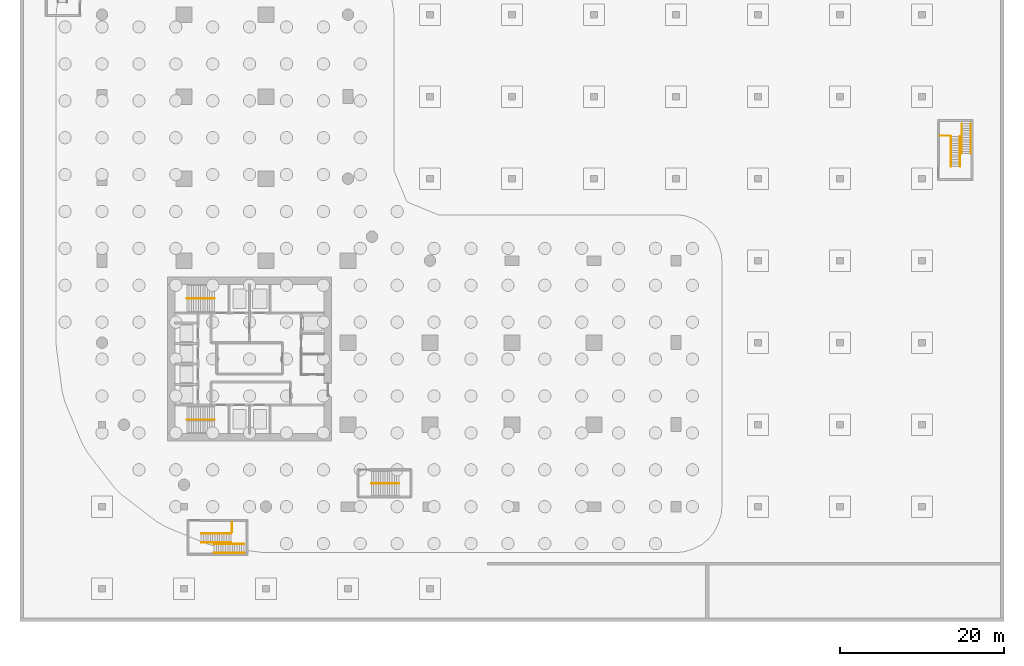
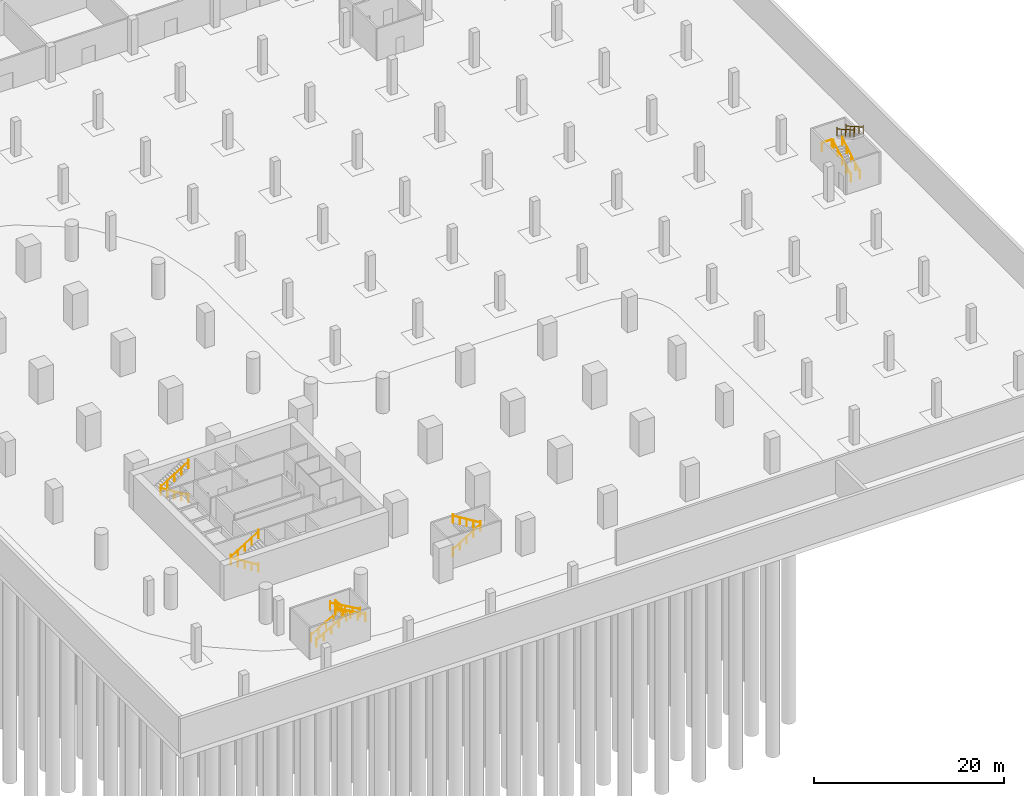
# One storey, part 16 of 19: 16 railings.
"""IFC4 building model written with IfcOpenShell, lengths in metres."""

from ifc_helpers import new_model, si_unit, direction, frame, origin, origin_2d, place, context, subcontext, project, spatial, circle, extrude, material, type_object, element, save


model = new_model("IFC4")

# Units and contexts
model_context = context("Model", 3, precision=1e-05, world=origin(), true_north=direction((0.0, 1.0)))
body_context = subcontext(model_context, "Body", "Model", "MODEL_VIEW")
ifc_project = project(units=[si_unit("LENGTHUNIT", "METRE"), si_unit("AREAUNIT", "SQUARE_METRE"), si_unit("VOLUMEUNIT", "CUBIC_METRE"), si_unit("PLANEANGLEUNIT", "RADIAN"), si_unit("MASSUNIT", "GRAM", prefix="KILO")], contexts=[model_context])

# Site, building, storey
site_placement = place(None, origin())
site = spatial("IfcSite", under=ifc_project, at=site_placement, CompositionType="ELEMENT")
building_placement = place(site_placement, origin())
building = spatial("IfcBuilding", under=site, at=building_placement, Name="Qaws Garden Tower", CompositionType="ELEMENT")
storey_placement = place(building_placement, frame((0.0, 0.0, -9.0)))
storey = spatial("IfcBuildingStorey", under=building, at=storey_placement, Name="B2", CompositionType="ELEMENT", Elevation=-9.0)

# Railings
ifc_material_1 = material(Name="Steel S355", Category="steel")
railing_type_1 = type_object("IfcRailingType", Name="Guard steel balustrade 1100", PredefinedType="GUARDRAIL", material=ifc_material_1)
railing_1_placement = place(storey_placement, frame((102.199951171875, 45.239990234375, 2.25)))
element("IfcRailing", 1, at=railing_1_placement, inside=storey, type_object=railing_type_1, Name="Stair landing guard", PredefinedType="GUARDRAIL", context=body_context, shape_type="SweptSolid", body=[
    extrude(circle(Radius=0.02392578125, at=origin_2d()), frame((0.0, 0.0, 1.076171875), z_axis=(1.0, 0.0, 0.0), x_axis=(0.0, 1.0, 0.0)), (0.0, 0.0, 1.0), 1.199951171875),
    extrude(circle(Radius=0.02099609375, at=origin_2d()), origin(), (0.0, 0.0, 1.0), 1.052001953125),
    extrude(circle(Radius=0.02099609375, at=origin_2d()), frame((1.199951171875, 0.0, 0.0)), (0.0, 0.0, 1.0), 1.052001953125),
])
railing_2_placement = place(storey_placement, frame((15.840087890625, -1.89990234375, 2.25)))
element("IfcRailing", 2, at=railing_2_placement, inside=storey, type_object=railing_type_1, Name="Stair landing guard", PredefinedType="GUARDRAIL", context=body_context, shape_type="SweptSolid", body=[
    extrude(circle(Radius=0.02392578125, at=origin_2d()), frame((0.0, 0.0, 1.076171875), z_axis=(0.0, -1.0, 0.0), x_axis=(1.0, 0.0, 0.0)), (0.0, 0.0, 1.0), 1.2001953125),
    extrude(circle(Radius=0.02099609375, at=origin_2d()), origin(), (0.0, 0.0, 1.0), 1.052001953125),
    extrude(circle(Radius=0.02099609375, at=origin_2d()), frame((0.0, -0.60009765625, 0.0)), (0.0, 0.0, 1.0), 1.052001953125),
    extrude(circle(Radius=0.02099609375, at=origin_2d()), frame((0.0, -1.2001953125, 0.0)), (0.0, 0.0, 1.0), 1.052001953125),
])
ifc_material_2 = material(Name="Stainless steel 316", Category="steel")
railing_type_2 = type_object("IfcRailingType", Name="Handrail 900", PredefinedType="HANDRAIL", material=ifc_material_2)
for number, where, name in (
    (3, (103.550048828125, 41.5, 0.16064453125), "Stair handrail"),
    (4, (104.64990234375, 41.5, 0.16064453125), "Stair handrail"),
):
    element("IfcRailing", number, at=place(storey_placement, frame(where)), inside=storey, type_object=railing_type_2, Name=name, PredefinedType="HANDRAIL", context=body_context, shape_type="SweptSolid", body=[
        extrude(circle(Radius=0.02392578125, at=origin_2d()), frame((0.0, 0.0, 0.8759765625), z_axis=(0.0, 0.8672749571, 0.497829437445), x_axis=(-1.0, 0.0, 0.0)), (0.0, 0.0, 1.0), 4.197021484375),
        extrude(circle(Radius=0.02099609375, at=origin_2d()), origin(), (0.0, 0.0, 1.0), 1.06103515625),
        extrude(circle(Radius=0.02099609375, at=origin_2d()), frame((0.0, 0.909912109375, 0.5224609375)), (0.0, 0.0, 1.0), 0.851806640625),
        extrude(circle(Radius=0.02099609375, at=origin_2d()), frame((0.0, 1.81982421875, 1.044677734375)), (0.0, 0.0, 1.0), 0.851806640625),
        extrude(circle(Radius=0.02099609375, at=origin_2d()), frame((0.0, 2.72998046875, 1.56689453125)), (0.0, 0.0, 1.0), 0.851806640625),
        extrude(circle(Radius=0.02099609375, at=origin_2d()), frame((0.0, 3.639892578125, 2.08935546875)), (0.0, 0.0, 1.0), 1.06103515625),
    ])
for number, where, name in (
    (5, (104.85009765625, 46.699951171875, 2.41064453125), "Stair handrail"),
    (6, (105.949951171875, 46.699951171875, 2.41064453125), "Stair handrail"),
):
    element("IfcRailing", number, at=place(storey_placement, frame(where)), inside=storey, type_object=railing_type_2, Name=name, PredefinedType="HANDRAIL", context=body_context, shape_type="SweptSolid", body=[
        extrude(circle(Radius=0.02392578125, at=origin_2d()), frame((0.0, 0.0, 0.8759765625), z_axis=(0.0, -0.8672749571, 0.497829437445), x_axis=(1.0, 0.0, 0.0)), (0.0, 0.0, 1.0), 4.197021484375),
        extrude(circle(Radius=0.02099609375, at=origin_2d()), origin(), (0.0, 0.0, 1.0), 1.06103515625),
        extrude(circle(Radius=0.02099609375, at=origin_2d()), frame((0.0, -0.909912109375, 0.5224609375)), (0.0, 0.0, 1.0), 0.851806640625),
        extrude(circle(Radius=0.02099609375, at=origin_2d()), frame((0.0, -1.81982421875, 1.044677734375)), (0.0, 0.0, 1.0), 0.851806640625),
        extrude(circle(Radius=0.02099609375, at=origin_2d()), frame((0.0, -2.72998046875, 1.56689453125)), (0.0, 0.0, 1.0), 0.851806640625),
        extrude(circle(Radius=0.02099609375, at=origin_2d()), frame((0.0, -3.639892578125, 2.08935546875)), (0.0, 0.0, 1.0), 1.06103515625),
    ])
for number, where, name in (
    (7, (12.10009765625, -3.25, 0.16064453125), "Stair handrail"),
    (8, (12.10009765625, -4.35009765625, 0.16064453125), "Stair handrail"),
):
    element("IfcRailing", number, at=place(storey_placement, frame(where)), inside=storey, type_object=railing_type_2, Name=name, PredefinedType="HANDRAIL", context=body_context, shape_type="SweptSolid", body=[
        extrude(circle(Radius=0.02392578125, at=origin_2d()), frame((0.0, 0.0, 0.8759765625), z_axis=(0.8672749571, 0.0, 0.497829437445), x_axis=(0.0, 1.0, 0.0)), (0.0, 0.0, 1.0), 4.197021484375),
        extrude(circle(Radius=0.02099609375, at=origin_2d()), origin(), (0.0, 0.0, 1.0), 1.06103515625),
        extrude(circle(Radius=0.02099609375, at=origin_2d()), frame((0.909912109375, 0.0, 0.5224609375)), (0.0, 0.0, 1.0), 0.851806640625),
        extrude(circle(Radius=0.02099609375, at=origin_2d()), frame((1.81982421875, 0.0, 1.044677734375)), (0.0, 0.0, 1.0), 0.851806640625),
        extrude(circle(Radius=0.02099609375, at=origin_2d()), frame((2.72998046875, 0.0, 1.56689453125)), (0.0, 0.0, 1.0), 0.851806640625),
        extrude(circle(Radius=0.02099609375, at=origin_2d()), frame((3.639892578125, 0.0, 2.08935546875)), (0.0, 0.0, 1.0), 1.06103515625),
    ])
for number, where, name in (
    (9, (17.300048828125, -4.550048828125, 2.41064453125), "Stair handrail"),
    (10, (17.300048828125, -5.64990234375, 2.41064453125), "Stair handrail"),
):
    element("IfcRailing", number, at=place(storey_placement, frame(where)), inside=storey, type_object=railing_type_2, Name=name, PredefinedType="HANDRAIL", context=body_context, shape_type="SweptSolid", body=[
        extrude(circle(Radius=0.02392578125, at=origin_2d()), frame((0.0, 0.0, 0.8759765625), z_axis=(-0.867289372828, 0.0, 0.497804322781), x_axis=(0.0, -1.0, 0.0)), (0.0, 0.0, 1.0), 4.197021484375),
        extrude(circle(Radius=0.02099609375, at=origin_2d()), origin(), (0.0, 0.0, 1.0), 1.06103515625),
        extrude(circle(Radius=0.02099609375, at=origin_2d()), frame((-0.91015625, 0.0, 0.5224609375)), (0.0, 0.0, 1.0), 0.851806640625),
        extrude(circle(Radius=0.02099609375, at=origin_2d()), frame((-1.820068359375, 0.0, 1.044677734375)), (0.0, 0.0, 1.0), 0.851806640625),
        extrude(circle(Radius=0.02099609375, at=origin_2d()), frame((-2.72998046875, 0.0, 1.56689453125)), (0.0, 0.0, 1.0), 0.851806640625),
        extrude(circle(Radius=0.02099609375, at=origin_2d()), frame((-3.64013671875, 0.0, 2.08935546875)), (0.0, 0.0, 1.0), 1.06103515625),
    ])
ifc_material_3 = material(Name="Steel S355", Category="steel")
railing_type_3 = type_object("IfcRailingType", Name="Stair handrail 900", PredefinedType="HANDRAIL", material=ifc_material_3)
railing_3_placement = place(storey_placement, frame((13.699951171875, 10.60009765625, 0.173095703125)))
element("IfcRailing", 11, at=railing_3_placement, inside=storey, type_object=railing_type_3, Name="Stair 1 handrail", PredefinedType="HANDRAIL", context=body_context, shape_type="SweptSolid", body=[
    extrude(circle(Radius=0.02392578125, at=origin_2d()), frame((0.0, 0.0, 0.8759765625), z_axis=(-0.850606129759, 0.0, 0.525803396734), x_axis=(0.0, -1.0, 0.0)), (0.0, 0.0, 1.0), 3.949951171875),
    extrude(circle(Radius=0.02099609375, at=origin_2d()), origin(), (0.0, 0.0, 1.0), 1.072998046875),
    extrude(circle(Radius=0.02099609375, at=origin_2d()), frame((-0.83984375, 0.0, 0.519287109375)), (0.0, 0.0, 1.0), 0.851806640625),
    extrude(circle(Radius=0.02099609375, at=origin_2d()), frame((-1.679931640625, 0.0, 1.03857421875)), (0.0, 0.0, 1.0), 0.851806640625),
    extrude(circle(Radius=0.02099609375, at=origin_2d()), frame((-2.52001953125, 0.0, 1.5576171875)), (0.0, 0.0, 1.0), 0.851806640625),
    extrude(circle(Radius=0.02099609375, at=origin_2d()), frame((-3.35986328125, 0.0, 2.076904296875)), (0.0, 0.0, 1.0), 1.072998046875),
])
railing_4_placement = place(storey_placement, frame((10.340087890625, 10.60009765625, 2.423095703125)))
element("IfcRailing", 12, at=railing_4_placement, inside=storey, type_object=railing_type_3, Name="Stair 1 handrail", PredefinedType="HANDRAIL", context=body_context, shape_type="SweptSolid", body=[
    extrude(circle(Radius=0.02392578125, at=origin_2d()), frame((0.0, 0.0, 0.8759765625), z_axis=(0.850606129759, 0.0, 0.525803396734), x_axis=(0.0, 1.0, 0.0)), (0.0, 0.0, 1.0), 3.949951171875),
    extrude(circle(Radius=0.02099609375, at=origin_2d()), origin(), (0.0, 0.0, 1.0), 1.072998046875),
    extrude(circle(Radius=0.02099609375, at=origin_2d()), frame((0.83984375, 0.0, 0.519287109375)), (0.0, 0.0, 1.0), 0.851806640625),
    extrude(circle(Radius=0.02099609375, at=origin_2d()), frame((1.679931640625, 0.0, 1.03857421875)), (0.0, 0.0, 1.0), 0.851806640625),
    extrude(circle(Radius=0.02099609375, at=origin_2d()), frame((2.52001953125, 0.0, 1.5576171875)), (0.0, 0.0, 1.0), 0.851806640625),
    extrude(circle(Radius=0.02099609375, at=origin_2d()), frame((3.35986328125, 0.0, 2.076904296875)), (0.0, 0.0, 1.0), 1.072998046875),
])
railing_5_placement = place(storey_placement, frame((13.699951171875, 25.39990234375, 0.173095703125)))
element("IfcRailing", 13, at=railing_5_placement, inside=storey, type_object=railing_type_3, Name="Stair 4 handrail", PredefinedType="HANDRAIL", context=body_context, shape_type="SweptSolid", body=[
    extrude(circle(Radius=0.02392578125, at=origin_2d()), frame((0.0, 0.0, 0.8759765625), z_axis=(-0.850606129759, 0.0, 0.525803396734), x_axis=(0.0, -1.0, 0.0)), (0.0, 0.0, 1.0), 3.949951171875),
    extrude(circle(Radius=0.02099609375, at=origin_2d()), origin(), (0.0, 0.0, 1.0), 1.072998046875),
    extrude(circle(Radius=0.02099609375, at=origin_2d()), frame((-0.83984375, 0.0, 0.519287109375)), (0.0, 0.0, 1.0), 0.851806640625),
    extrude(circle(Radius=0.02099609375, at=origin_2d()), frame((-1.679931640625, 0.0, 1.03857421875)), (0.0, 0.0, 1.0), 0.851806640625),
    extrude(circle(Radius=0.02099609375, at=origin_2d()), frame((-2.52001953125, 0.0, 1.5576171875)), (0.0, 0.0, 1.0), 0.851806640625),
    extrude(circle(Radius=0.02099609375, at=origin_2d()), frame((-3.35986328125, 0.0, 2.076904296875)), (0.0, 0.0, 1.0), 1.072998046875),
])
for number, where, name in (
    (14, (10.340087890625, 25.39990234375, 2.423095703125), "Stair 4 handrail"),
    (15, (32.85009765625, 2.85009765625, 0.173095703125), "Stair 5 handrail"),
):
    element("IfcRailing", number, at=place(storey_placement, frame(where)), inside=storey, type_object=railing_type_3, Name=name, PredefinedType="HANDRAIL", context=body_context, shape_type="SweptSolid", body=[
        extrude(circle(Radius=0.02392578125, at=origin_2d()), frame((0.0, 0.0, 0.8759765625), z_axis=(0.850606129759, 0.0, 0.525803396734), x_axis=(0.0, 1.0, 0.0)), (0.0, 0.0, 1.0), 3.949951171875),
        extrude(circle(Radius=0.02099609375, at=origin_2d()), origin(), (0.0, 0.0, 1.0), 1.072998046875),
        extrude(circle(Radius=0.02099609375, at=origin_2d()), frame((0.83984375, 0.0, 0.519287109375)), (0.0, 0.0, 1.0), 0.851806640625),
        extrude(circle(Radius=0.02099609375, at=origin_2d()), frame((1.679931640625, 0.0, 1.03857421875)), (0.0, 0.0, 1.0), 0.851806640625),
        extrude(circle(Radius=0.02099609375, at=origin_2d()), frame((2.52001953125, 0.0, 1.5576171875)), (0.0, 0.0, 1.0), 0.851806640625),
        extrude(circle(Radius=0.02099609375, at=origin_2d()), frame((3.35986328125, 0.0, 2.076904296875)), (0.0, 0.0, 1.0), 1.072998046875),
    ])
railing_6_placement = place(storey_placement, frame((36.2099609375, 2.85009765625, 2.423095703125)))
element("IfcRailing", 16, at=railing_6_placement, inside=storey, type_object=railing_type_3, Name="Stair 5 handrail", PredefinedType="HANDRAIL", context=body_context, shape_type="SweptSolid", body=[
    extrude(circle(Radius=0.02392578125, at=origin_2d()), frame((0.0, 0.0, 0.8759765625), z_axis=(-0.850606129759, 0.0, 0.525803396734), x_axis=(0.0, -1.0, 0.0)), (0.0, 0.0, 1.0), 3.949951171875),
    extrude(circle(Radius=0.02099609375, at=origin_2d()), origin(), (0.0, 0.0, 1.0), 1.072998046875),
    extrude(circle(Radius=0.02099609375, at=origin_2d()), frame((-0.83984375, 0.0, 0.519287109375)), (0.0, 0.0, 1.0), 0.851806640625),
    extrude(circle(Radius=0.02099609375, at=origin_2d()), frame((-1.679931640625, 0.0, 1.03857421875)), (0.0, 0.0, 1.0), 0.851806640625),
    extrude(circle(Radius=0.02099609375, at=origin_2d()), frame((-2.52001953125, 0.0, 1.5576171875)), (0.0, 0.0, 1.0), 0.851806640625),
    extrude(circle(Radius=0.02099609375, at=origin_2d()), frame((-3.35986328125, 0.0, 2.076904296875)), (0.0, 0.0, 1.0), 1.072998046875),
])

save(model, "model.ifc")
